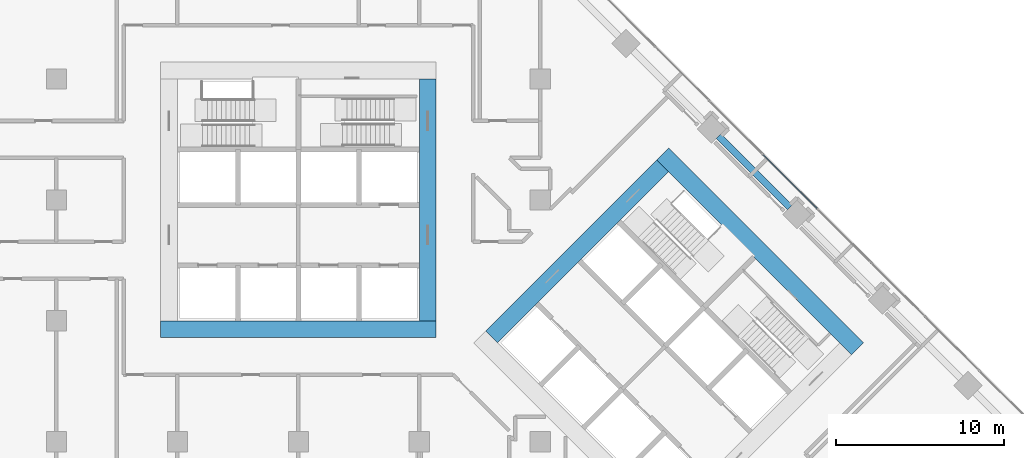
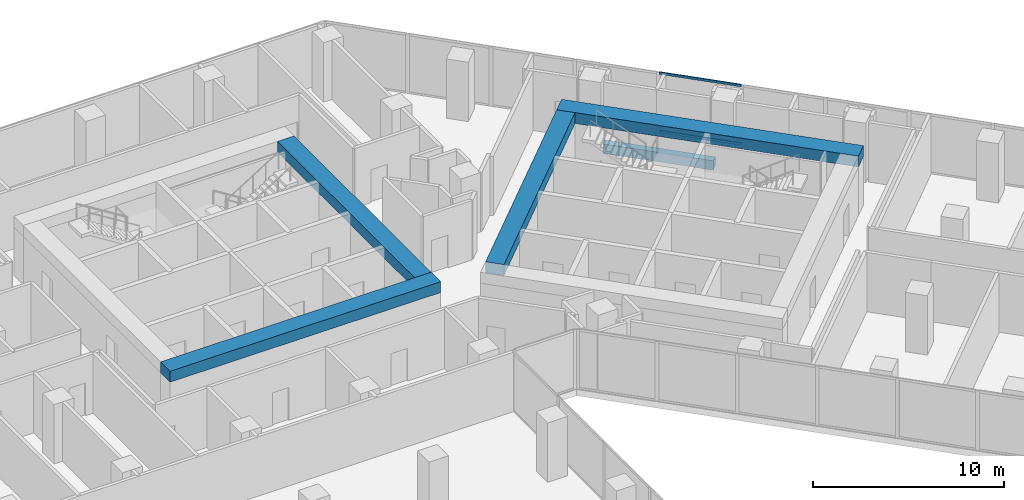
# One storey, part 12 of 27: 5 beams, 2 members, 1 element without a shape of its own.
"""IFC4 building model written with IfcOpenShell, lengths in metres."""

from ifc_helpers import new_model, si_unit, direction, frame, origin, origin_2d, place, context, subcontext, project, spatial, rectangle, extrude, material, material_profile, profile_set, type_object, element, aggregate, save


model = new_model("IFC4")

# Units and contexts
model_context = context("Model", 3, precision=1e-05, world=origin(), true_north=direction((0.0, 1.0)))
body_context = subcontext(model_context, "Body", "Model", "MODEL_VIEW")
ifc_project = project(units=[si_unit("LENGTHUNIT", "METRE"), si_unit("AREAUNIT", "SQUARE_METRE"), si_unit("VOLUMEUNIT", "CUBIC_METRE"), si_unit("PLANEANGLEUNIT", "RADIAN"), si_unit("MASSUNIT", "GRAM", prefix="KILO")], contexts=[model_context])

# Site, building, storey
site_placement = place(None, origin())
site = spatial("IfcSite", under=ifc_project, at=site_placement, CompositionType="ELEMENT")
building_placement = place(site_placement, origin())
building = spatial("IfcBuilding", under=site, at=building_placement, Name="Windrow Commons", CompositionType="ELEMENT")
storey_placement = place(building_placement, frame((0.0, 0.0, 6.0)))
storey = spatial("IfcBuildingStorey", under=building, at=storey_placement, Name="L01", CompositionType="ELEMENT", Elevation=6.0)

# Curtain wall, members
ifc_material_1 = material(Name="Clear laminated glass in Aluminium 6063-T6 anodised frame", Category="aluminium")
curtain_wall_type = type_object("IfcCurtainWallType", Name="Curtain wall CW1 podium study hall", PredefinedType="USERDEFINED", material=ifc_material_1)
curtain_wall_placement = place(storey_placement, origin())
curtain_wall = element("IfcCurtainWall", 1, at=curtain_wall_placement, inside=storey, type_object=curtain_wall_type, Name="Curtain wall CW1 L01 4", ObjectType="STICK", PredefinedType="USERDEFINED")
ifc_material_2 = material(Name="Aluminium 6063-T6", Category="aluminium")
ifc_material_profile_1 = material_profile(ifc_material_2, rectangle(XDim=0.06, YDim=0.15, at=origin_2d()))
ifc_profile_set_1 = profile_set([ifc_material_profile_1], Name="Aluminium 6063-T6")
member_type = type_object("IfcMemberType", Name="CW1 transom 60x150", PredefinedType="USERDEFINED", material=ifc_profile_set_1)
member_1_placement = place(storey_placement, frame((95.6615, 57.0942, 0.03), z_axis=(-0.7071067812, 0.7071067812, 0.0), x_axis=(-0.7071067812, -0.7071067812, 0.0)))
member_1 = element("IfcMember", 2, at=member_1_placement, type_object=member_type, Name="CW1 transom 8.1", ObjectType="TRANSOM", PredefinedType="USERDEFINED", context=body_context, shape_type="SweptSolid", body=[
    extrude(rectangle(XDim=0.06, YDim=0.15, at=origin_2d()), origin(), (0.0, 0.0, 1.0), 4.4814),
])
member_2_placement = place(storey_placement, frame((95.6615, 57.0942, 3.77), z_axis=(-0.7071067812, 0.7071067812, 0.0), x_axis=(-0.7071067812, -0.7071067812, 0.0)))
member_2 = element("IfcMember", 3, at=member_2_placement, type_object=member_type, Name="CW1 transom 8.2", ObjectType="TRANSOM", PredefinedType="USERDEFINED", context=body_context, shape_type="SweptSolid", body=[
    extrude(rectangle(XDim=0.06, YDim=0.15, at=origin_2d()), origin(), (0.0, 0.0, 1.0), 4.4814),
])
aggregate(curtain_wall, [member_1, member_2])

# Beams
ifc_material_3 = material(Name="Concrete C60/75", Category="concrete")
ifc_material_profile_2 = material_profile(ifc_material_3, rectangle(XDim=1.0, YDim=0.7, at=origin_2d()))
ifc_profile_set_2 = profile_set([ifc_material_profile_2], Name="Concrete C60/75")
beam_type_1 = type_object("IfcBeamType", Name="RC COUPLING BEAM 1000x700 C60/75", PredefinedType="LINTEL", material=ifc_profile_set_2)
beam_1_placement = place(storey_placement, frame((56.6, 49.9, 3.45), z_axis=(1.0, 0.0, 0.0), x_axis=(0.0, 1.0, 0.0)))
element("IfcBeam", 4, at=beam_1_placement, inside=storey, type_object=beam_type_1, Name="Core A coupling beam outer-S", PredefinedType="LINTEL", context=body_context, shape_type="SweptSolid", body=[
    extrude(rectangle(XDim=1.0, YDim=0.7, at=origin_2d()), origin(), (0.0, 0.0, 1.0), 16.4),
])
beam_2_placement = place(storey_placement, frame((72.5, 50.4, 3.45), z_axis=(0.0, 1.0, 0.0), x_axis=(-1.0, 0.0, 0.0)))
element("IfcBeam", 5, at=beam_2_placement, inside=storey, type_object=beam_type_1, Name="Core A coupling beam outer-E", PredefinedType="LINTEL", context=body_context, shape_type="SweptSolid", body=[
    extrude(rectangle(XDim=1.0, YDim=0.7, at=origin_2d()), origin(), (0.0, 0.0, 1.0), 14.4),
])
beam_3_placement = place(storey_placement, frame((86.4832, 60.3327, 3.45), z_axis=(0.70710983, -0.7071037324, 0.0), x_axis=(0.7071037324, 0.70710983, 0.0)))
element("IfcBeam", 6, at=beam_3_placement, inside=storey, type_object=beam_type_1, Name="Core B coupling beam outer-N", PredefinedType="LINTEL", context=body_context, shape_type="SweptSolid", body=[
    extrude(rectangle(XDim=1.0, YDim=0.7, at=origin_2d()), origin(), (0.0, 0.0, 1.0), 16.4),
])
beam_4_placement = place(storey_placement, frame((76.3009, 49.4433, 3.45), z_axis=(0.7071067812, 0.7071067812, 0.0), x_axis=(-0.7071067812, 0.7071067812, 0.0)))
element("IfcBeam", 7, at=beam_4_placement, inside=storey, type_object=beam_type_1, Name="Core B coupling beam outer-W", PredefinedType="LINTEL", context=body_context, shape_type="SweptSolid", body=[
    extrude(rectangle(XDim=1.0, YDim=0.7, at=origin_2d()), origin(), (0.0, 0.0, 1.0), 14.3999),
])
ifc_material_4 = material(Name="Concrete C60/75", Category="concrete")
ifc_material_profile_3 = material_profile(ifc_material_4, rectangle(XDim=0.4, YDim=0.6, at=origin_2d()))
ifc_profile_set_3 = profile_set([ifc_material_profile_3], Name="Concrete C60/75")
beam_type_2 = type_object("IfcBeamType", Name="RC EDGE BEAM 400x600 C60/75", PredefinedType="SPANDREL", material=ifc_profile_set_3)
beam_5_placement = place(storey_placement, frame((89.8066, 61.3934, -0.7), z_axis=(0.7071067812, -0.7071067812, 0.0), x_axis=(0.7071067812, 0.7071067812, 0.0)))
element("IfcBeam", 8, at=beam_5_placement, inside=storey, type_object=beam_type_2, Name="Edge beam L01 019", PredefinedType="SPANDREL", context=body_context, shape_type="SweptSolid", body=[
    extrude(rectangle(XDim=0.4, YDim=0.6, at=origin_2d()), origin(), (0.0, 0.0, 1.0), 5.9999),
])

save(model, "model.ifc")
